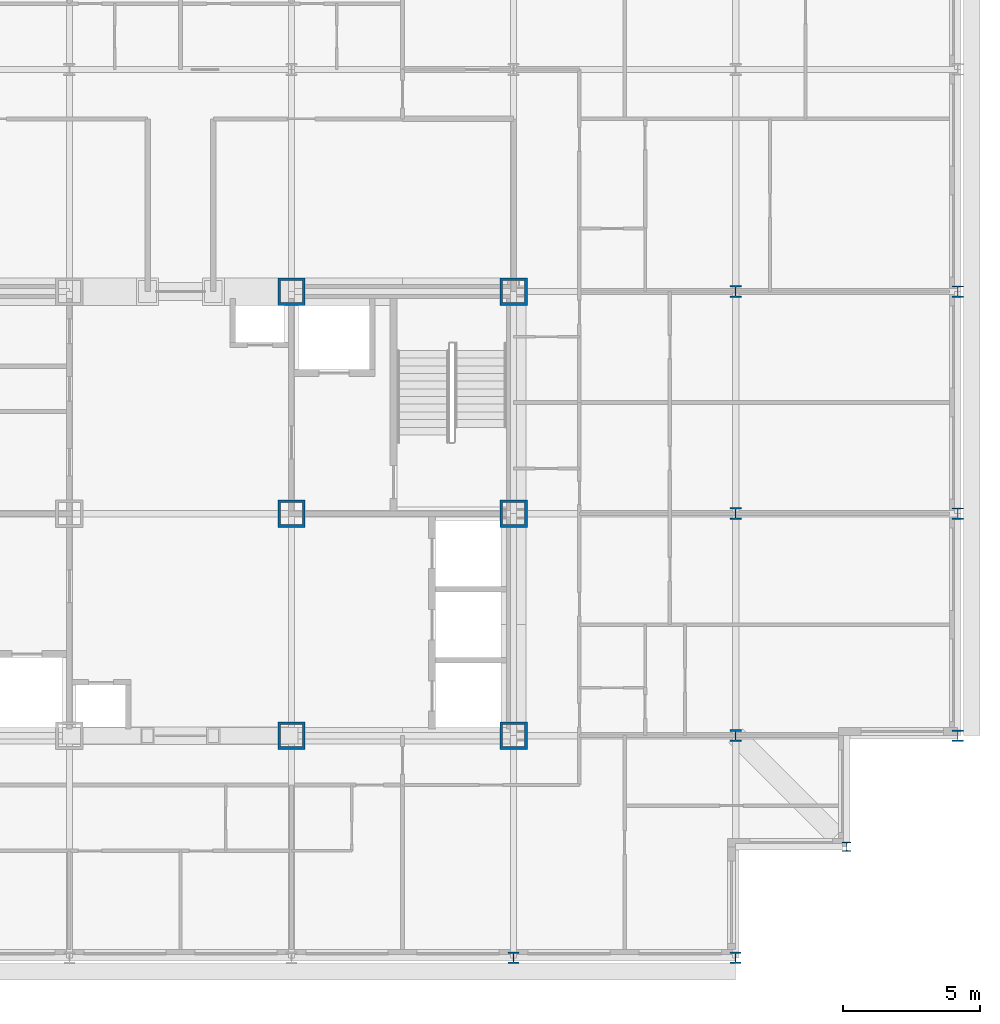
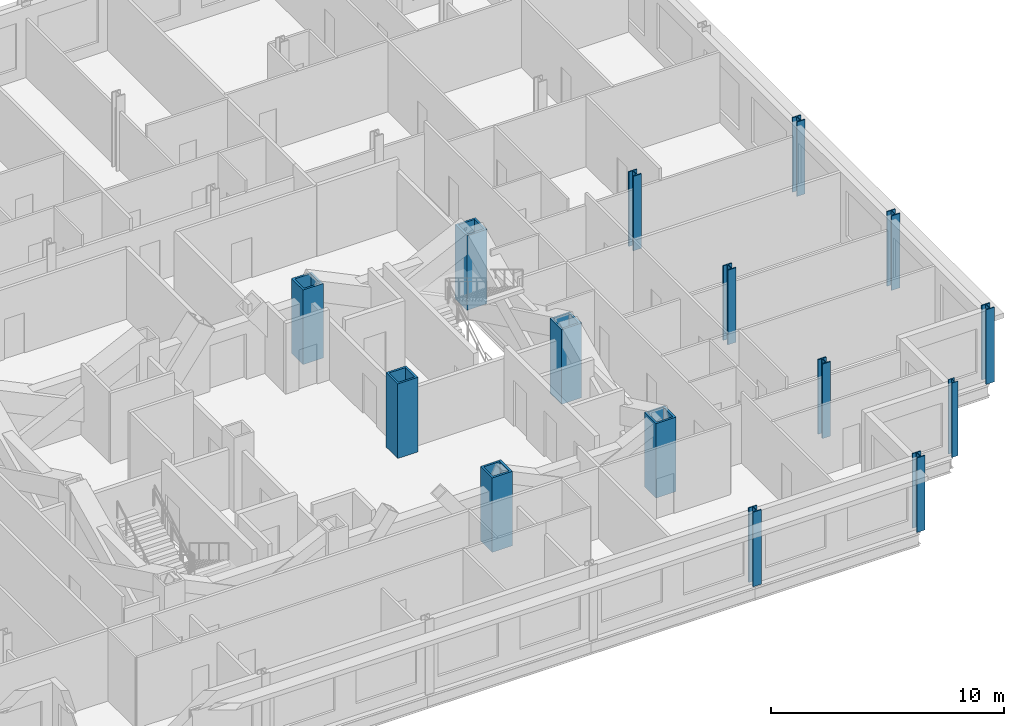
# One storey, part 2 of 15: 15 columns.
"""IFC4 building model written with IfcOpenShell, lengths in metres."""

from ifc_helpers import new_model, si_unit, direction, frame, origin, origin_2d, place, context, subcontext, project, spatial, hollow_rectangle, i_section, extrude, material, material_profile, profile_set, type_object, element, save


model = new_model("IFC4")

# Units and contexts
model_context = context("Model", 3, precision=1e-05, world=origin(), true_north=direction((0.0, 1.0)))
body_context = subcontext(model_context, "Body", "Model", "MODEL_VIEW")
ifc_project = project(units=[si_unit("LENGTHUNIT", "METRE"), si_unit("AREAUNIT", "SQUARE_METRE"), si_unit("VOLUMEUNIT", "CUBIC_METRE"), si_unit("PLANEANGLEUNIT", "RADIAN"), si_unit("MASSUNIT", "GRAM", prefix="KILO")], contexts=[model_context])

# Site, building, storey
site_placement = place(None, origin())
site = spatial("IfcSite", under=ifc_project, at=site_placement, CompositionType="ELEMENT")
building_placement = place(site_placement, origin())
building = spatial("IfcBuilding", under=site, at=building_placement, Name="Kopane Lantern Tower", CompositionType="ELEMENT")
storey_placement = place(building_placement, frame((0.0, 0.0, 285.300048828125)))
storey = spatial("IfcBuildingStorey", under=building, at=storey_placement, Name="L73", CompositionType="ELEMENT", Elevation=285.300048828125)

# Columns
ifc_material_1 = material(Name="Steel S355JR", Category="steel")
ifc_material_profile_1 = material_profile(ifc_material_1, hollow_rectangle(XDim=1.0, YDim=1.0, WallThickness=0.10009765625, at=origin_2d()), Name="BOX 1000x1000x100")
ifc_profile_set_1 = profile_set([ifc_material_profile_1], Name="Steel S355JR")
column_type_1 = type_object("IfcColumnType", Name="COLUMN BOX 1000x1000x100", PredefinedType="COLUMN", material=ifc_profile_set_1)
for number, where, z_axis, x_axis, name in (
    (1, (32.39990234375, 24.300048828125, 0.0), (0.0, 0.0, 1.0), (1.0, 0.0, 0.0), "Column 6/E L73"),
    (2, (32.39990234375, 32.39990234375, 0.0), (0.0, 0.0, 1.0), (1.0, 0.0, 0.0), "Column 6/F L73"),
    (3, (32.39990234375, 40.5, 0.0), (0.0, 0.0, 1.0), (1.0, 0.0, 0.0), "Column 6/G L73"),
    (4, (40.5, 24.300048828125, 0.0), (0.0, 0.0, 1.0), (1.0, 0.0, 0.0), "Column 7/E L73"),
    (5, (40.5, 32.39990234375, 0.0), (0.0, 0.0, 1.0), (1.0, 0.0, 0.0), "Column 7/F L73"),
    (6, (40.5, 40.5, 0.0), (0.0, 0.0, 1.0), (1.0, 0.0, 0.0), "Column 7/G L73"),
):
    element("IfcColumn", number, at=place(storey_placement, frame(where, z_axis=z_axis, x_axis=x_axis)), inside=storey, type_object=column_type_1, Name=name, PredefinedType="COLUMN", context=body_context, shape_type="SweptSolid", body=[
        extrude(hollow_rectangle(XDim=1.0, YDim=1.0, WallThickness=0.10009765625, at=origin_2d()), origin(), (0.0, 0.0, 1.0), 3.89990234375),
    ])
ifc_material_2 = material(Name="Steel S355JR", Category="steel")
ifc_material_profile_2 = material_profile(ifc_material_2, i_section(OverallWidth=0.307373046875, OverallDepth=0.314453125, WebThickness=0.011962890625, FlangeThickness=0.018798828125, FilletRadius=0.01513671875, at=origin_2d()), Name="UC 305x305x118")
ifc_profile_set_2 = profile_set([ifc_material_profile_2], Name="Steel S355JR")
column_type_2 = type_object("IfcColumnType", Name="COLUMN UC 305x305x118", PredefinedType="COLUMN", material=ifc_profile_set_2)
column_placement = place(storey_placement, frame((52.64990234375, 20.25, 0.0), z_axis=(0.0, 0.0, 1.0), x_axis=(1.0, 0.0, 0.0)))
element("IfcColumn", 7, at=column_placement, inside=storey, type_object=column_type_2, Name="Column 52.65/20.25 L73", PredefinedType="COLUMN", context=body_context, shape_type="SweptSolid", body=[
    extrude(i_section(OverallWidth=0.307373046875, OverallDepth=0.314453125, WebThickness=0.011962890625, FlangeThickness=0.018798828125, FilletRadius=0.01513671875, at=origin_2d()), origin(), (0.0, 0.0, 1.0), 3.89990234375),
])
ifc_material_3 = material(Name="Steel S355JR", Category="steel")
ifc_material_profile_3 = material_profile(ifc_material_3, i_section(OverallWidth=0.406982421875, OverallDepth=0.4189453125, WebThickness=0.030517578125, FlangeThickness=0.04931640625, FilletRadius=0.01513671875, at=origin_2d()), Name="UC 356x406x393")
ifc_profile_set_3 = profile_set([ifc_material_profile_3], Name="Steel S355JR")
column_type_3 = type_object("IfcColumnType", Name="COLUMN UC 356x406x393", PredefinedType="COLUMN", material=ifc_profile_set_3)
for number, where, z_axis, x_axis, name in (
    (8, (40.5, 16.199951171875, 0.0), (0.0, 0.0, 1.0), (1.0, 0.0, 0.0), "Column 7/D L73"),
    (9, (48.60009765625, 16.199951171875, 0.0), (0.0, 0.0, 1.0), (1.0, 0.0, 0.0), "Column 8/D L73"),
    (10, (56.699951171875, 24.300048828125, 0.0), (0.0, 0.0, 1.0), (1.0, 0.0, 0.0), "Column 9/E L73"),
    (11, (56.699951171875, 32.39990234375, 0.0), (0.0, 0.0, 1.0), (1.0, 0.0, 0.0), "Column 9/F L73"),
    (12, (56.699951171875, 40.5, 0.0), (0.0, 0.0, 1.0), (1.0, 0.0, 0.0), "Column 9/G L73"),
):
    element("IfcColumn", number, at=place(storey_placement, frame(where, z_axis=z_axis, x_axis=x_axis)), inside=storey, type_object=column_type_3, Name=name, PredefinedType="COLUMN", context=body_context, shape_type="SweptSolid", body=[
        extrude(i_section(OverallWidth=0.406982421875, OverallDepth=0.4189453125, WebThickness=0.030517578125, FlangeThickness=0.04931640625, FilletRadius=0.01513671875, at=origin_2d()), origin(), (0.0, 0.0, 1.0), 3.89990234375),
    ])
ifc_material_4 = material(Name="Steel S355JR", Category="steel")
ifc_material_profile_4 = material_profile(ifc_material_4, i_section(OverallWidth=0.412109375, OverallDepth=0.4365234375, WebThickness=0.035888671875, FlangeThickness=0.05810546875, FilletRadius=0.01513671875, at=origin_2d()), Name="UC 356x406x467")
ifc_profile_set_4 = profile_set([ifc_material_profile_4], Name="Steel S355JR")
column_type_4 = type_object("IfcColumnType", Name="COLUMN UC 356x406x467", PredefinedType="COLUMN", material=ifc_profile_set_4)
for number, where, z_axis, x_axis, name in (
    (13, (48.60009765625, 24.300048828125, 0.0), (0.0, 0.0, 1.0), (1.0, 0.0, 0.0), "Column 8/E L73"),
    (14, (48.60009765625, 32.39990234375, 0.0), (0.0, 0.0, 1.0), (1.0, 0.0, 0.0), "Column 8/F L73"),
    (15, (48.60009765625, 40.5, 0.0), (0.0, 0.0, 1.0), (1.0, 0.0, 0.0), "Column 8/G L73"),
):
    element("IfcColumn", number, at=place(storey_placement, frame(where, z_axis=z_axis, x_axis=x_axis)), inside=storey, type_object=column_type_4, Name=name, PredefinedType="COLUMN", context=body_context, shape_type="SweptSolid", body=[
        extrude(i_section(OverallWidth=0.412109375, OverallDepth=0.4365234375, WebThickness=0.035888671875, FlangeThickness=0.05810546875, FilletRadius=0.01513671875, at=origin_2d()), origin(), (0.0, 0.0, 1.0), 3.89990234375),
    ])

save(model, "model.ifc")
